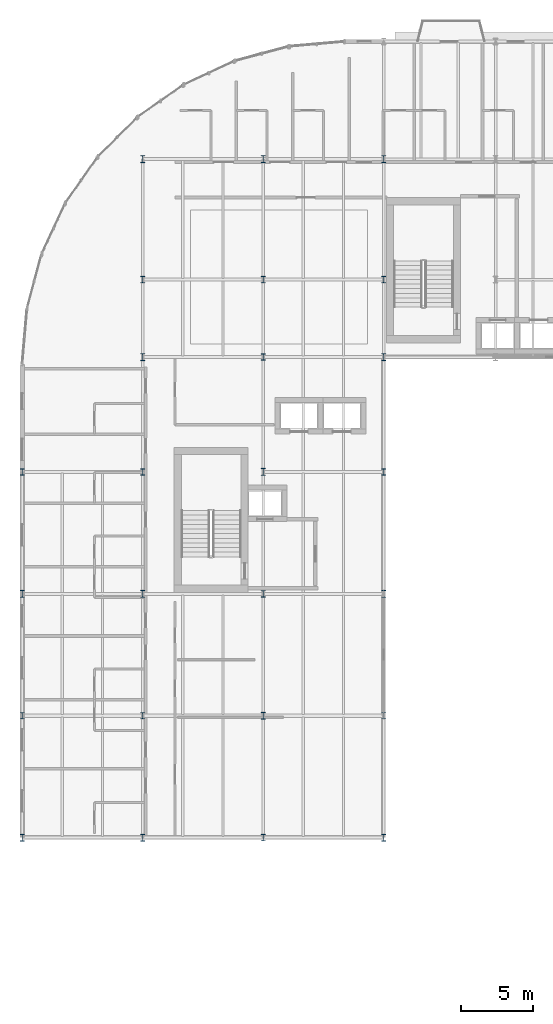
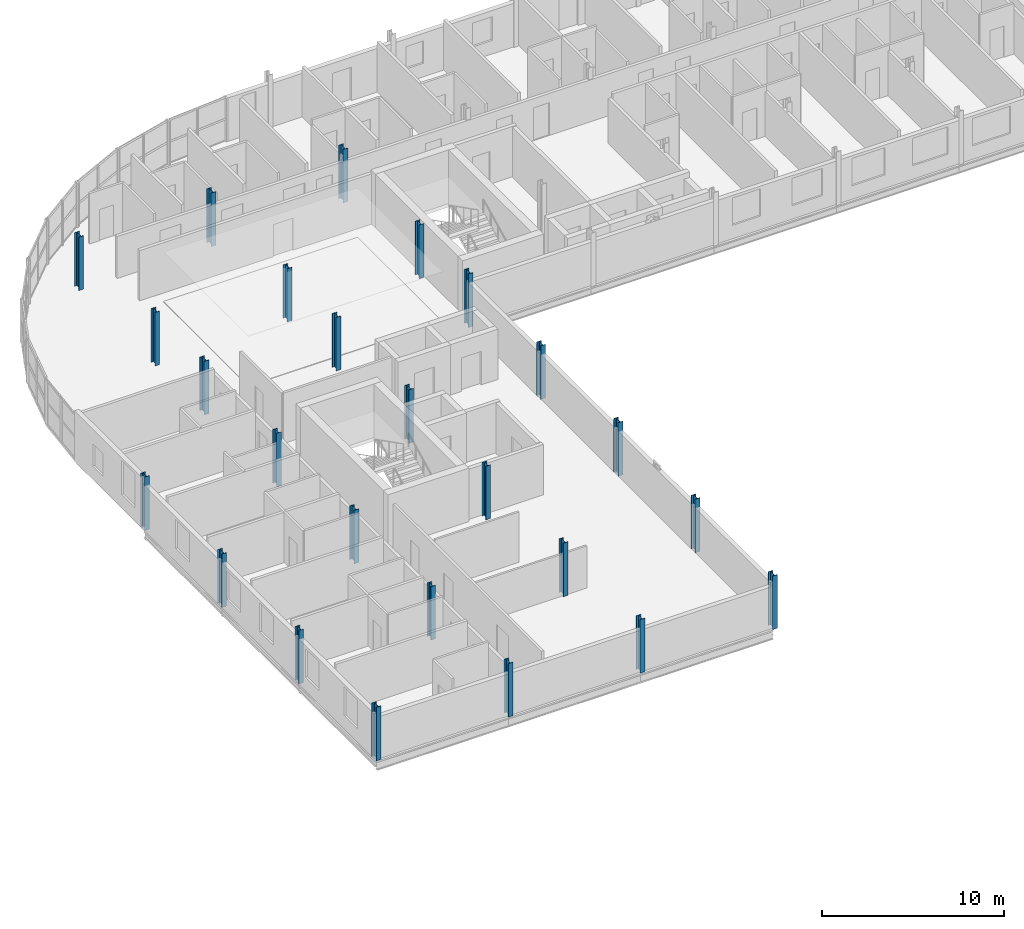
# One storey, part 1 of 30: 25 columns.
"""IFC4 building model written with IfcOpenShell, lengths in metres."""

from ifc_helpers import new_model, si_unit, direction, frame, origin, origin_2d, place, context, subcontext, project, spatial, i_section, extrude, material, material_profile, profile_set, type_object, element, save


model = new_model("IFC4")

# Units and contexts
model_context = context("Model", 3, precision=1e-05, world=origin(), true_north=direction((0.0, 1.0)))
body_context = subcontext(model_context, "Body", "Model", "MODEL_VIEW")
ifc_project = project(units=[si_unit("LENGTHUNIT", "METRE"), si_unit("AREAUNIT", "SQUARE_METRE"), si_unit("VOLUMEUNIT", "CUBIC_METRE"), si_unit("PLANEANGLEUNIT", "RADIAN"), si_unit("MASSUNIT", "GRAM", prefix="KILO")], contexts=[model_context])

# Site, building, storey
site_placement = place(None, origin())
site = spatial("IfcSite", under=ifc_project, at=site_placement, CompositionType="ELEMENT")
building_placement = place(site_placement, origin())
building = spatial("IfcBuilding", under=site, at=building_placement, Name="Sefraquen Railside Congress Hotel", CompositionType="ELEMENT")
storey_placement = place(building_placement, frame((0.0, 0.0, 35.39990234375)))
storey = spatial("IfcBuildingStorey", under=building, at=storey_placement, Name="L08", CompositionType="ELEMENT", Elevation=35.39990234375)

# Columns
ifc_material = material(Name="Steel S355JR", Category="steel")
ifc_material_profile_1 = material_profile(ifc_material, i_section(OverallWidth=0.300048828125, OverallDepth=0.449951171875, WebThickness=0.013916015625, FlangeThickness=0.02587890625, FilletRadius=0.027099609375, at=origin_2d()), Name="HEB 450")
ifc_profile_set_1 = profile_set([ifc_material_profile_1], Name="Steel S355JR")
column_type_1 = type_object("IfcColumnType", Name="TC-HEB-450", PredefinedType="COLUMN", material=ifc_profile_set_1)
for number, where, z_axis, x_axis, name in (
    (1, (0.0, 71.0, 0.0), (0.0, 0.0, 1.0), (1.0, 0.0, 0.0), "Structural column 1-J L08"),
    (2, (0.0, 88.0, 0.0), (0.0, 0.0, 1.0), (1.0, 0.0, 0.0), "Structural column 1-L L08"),
    (3, (8.39990234375, 71.0, 0.0), (0.0, 0.0, 1.0), (1.0, 0.0, 0.0), "Structural column 2-J L08"),
    (4, (8.39990234375, 88.0, 0.0), (0.0, 0.0, 1.0), (1.0, 0.0, 0.0), "Structural column 2-L L08"),
    (5, (16.800048828125, 62.5, 0.0), (0.0, 0.0, 1.0), (1.0, 0.0, 0.0), "Structural column 3-H L08"),
    (6, (16.800048828125, 79.5, 0.0), (0.0, 0.0, 1.0), (1.0, 0.0, 0.0), "Structural column 3-K L08"),
    (7, (16.800048828125, 96.0, 0.0), (0.0, 0.0, 1.0), (1.0, 0.0, 0.0), "Structural column 3-M L08"),
    (8, (25.199951171875, 71.0, 0.0), (0.0, 0.0, 1.0), (1.0, 0.0, 0.0), "Structural column 4-J L08"),
    (9, (25.199951171875, 88.0, 0.0), (0.0, 0.0, 1.0), (1.0, 0.0, 0.0), "Structural column 4-L L08"),
    (10, (8.39990234375, 101.39990234375, 0.0), (0.0, 0.0, 1.0), (1.0, 0.0, 0.0), "Structural column 2-N L08"),
    (11, (16.800048828125, 101.39990234375, 0.0), (0.0, 0.0, 1.0), (1.0, 0.0, 0.0), "Structural column 3-N L08"),
    (12, (25.199951171875, 101.39990234375, 0.0), (0.0, 0.0, 1.0), (1.0, 0.0, 0.0), "Structural column 4-N L08"),
):
    element("IfcColumn", number, at=place(storey_placement, frame(where, z_axis=z_axis, x_axis=x_axis)), inside=storey, type_object=column_type_1, Name=name, PredefinedType="COLUMN", context=body_context, shape_type="SweptSolid", body=[
        extrude(i_section(OverallWidth=0.300048828125, OverallDepth=0.449951171875, WebThickness=0.013916015625, FlangeThickness=0.02587890625, FilletRadius=0.027099609375, at=origin_2d()), origin(), (0.0, 0.0, 1.0), 3.60009765625),
    ])
ifc_material_profile_2 = material_profile(ifc_material, i_section(OverallWidth=0.300048828125, OverallDepth=0.5, WebThickness=0.014404296875, FlangeThickness=0.028076171875, FilletRadius=0.027099609375, at=origin_2d()), Name="HEB 500")
ifc_profile_set_2 = profile_set([ifc_material_profile_2], Name="Steel S355JR")
column_type_2 = type_object("IfcColumnType", Name="TC-HEB-500", PredefinedType="COLUMN", material=ifc_profile_set_2)
for number, where, z_axis, x_axis, name in (
    (13, (0.0, 62.5, 0.0), (0.0, 0.0, 1.0), (1.0, 0.0, 0.0), "Structural column 1-H L08"),
    (14, (0.0, 79.5, 0.0), (0.0, 0.0, 1.0), (1.0, 0.0, 0.0), "Structural column 1-K L08"),
    (15, (8.39990234375, 62.5, 0.0), (0.0, 0.0, 1.0), (1.0, 0.0, 0.0), "Structural column 2-H L08"),
    (16, (8.39990234375, 79.5, 0.0), (0.0, 0.0, 1.0), (1.0, 0.0, 0.0), "Structural column 2-K L08"),
    (17, (8.39990234375, 96.0, 0.0), (0.0, 0.0, 1.0), (1.0, 0.0, 0.0), "Structural column 2-M L08"),
    (18, (16.800048828125, 71.0, 0.0), (0.0, 0.0, 1.0), (1.0, 0.0, 0.0), "Structural column 3-J L08"),
    (19, (16.800048828125, 88.0, 0.0), (0.0, 0.0, 1.0), (1.0, 0.0, 0.0), "Structural column 3-L L08"),
    (20, (25.199951171875, 62.5, 0.0), (0.0, 0.0, 1.0), (1.0, 0.0, 0.0), "Structural column 4-H L08"),
    (21, (25.199951171875, 79.5, 0.0), (0.0, 0.0, 1.0), (1.0, 0.0, 0.0), "Structural column 4-K L08"),
    (22, (25.199951171875, 96.0, 0.0), (0.0, 0.0, 1.0), (1.0, 0.0, 0.0), "Structural column 4-M L08"),
    (23, (8.39990234375, 109.800048828125, 0.0), (0.0, 0.0, 1.0), (1.0, 0.0, 0.0), "Structural column 2-P L08"),
    (24, (16.800048828125, 109.800048828125, 0.0), (0.0, 0.0, 1.0), (1.0, 0.0, 0.0), "Structural column 3-P L08"),
    (25, (25.199951171875, 109.800048828125, 0.0), (0.0, 0.0, 1.0), (1.0, 0.0, 0.0), "Structural column 4-P L08"),
):
    element("IfcColumn", number, at=place(storey_placement, frame(where, z_axis=z_axis, x_axis=x_axis)), inside=storey, type_object=column_type_2, Name=name, PredefinedType="COLUMN", context=body_context, shape_type="SweptSolid", body=[
        extrude(i_section(OverallWidth=0.300048828125, OverallDepth=0.5, WebThickness=0.014404296875, FlangeThickness=0.028076171875, FilletRadius=0.027099609375, at=origin_2d()), origin(), (0.0, 0.0, 1.0), 3.60009765625),
    ])

save(model, "model.ifc")
